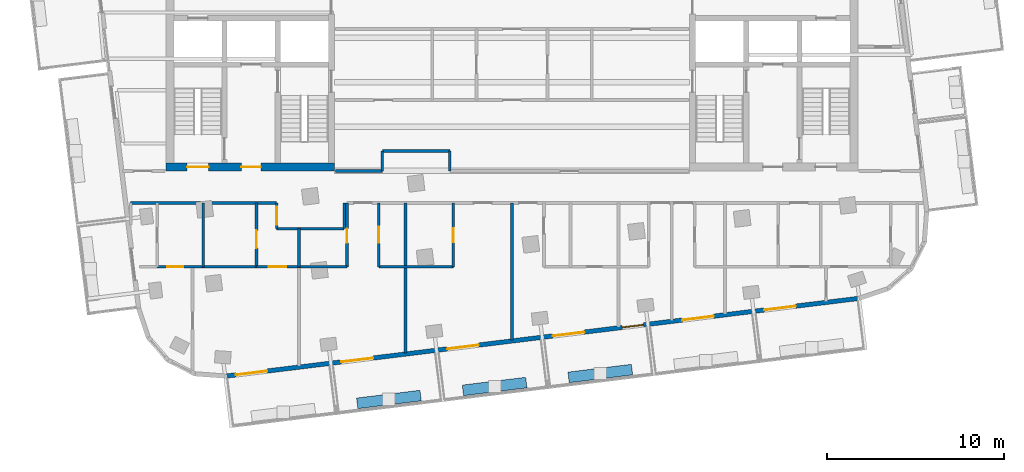
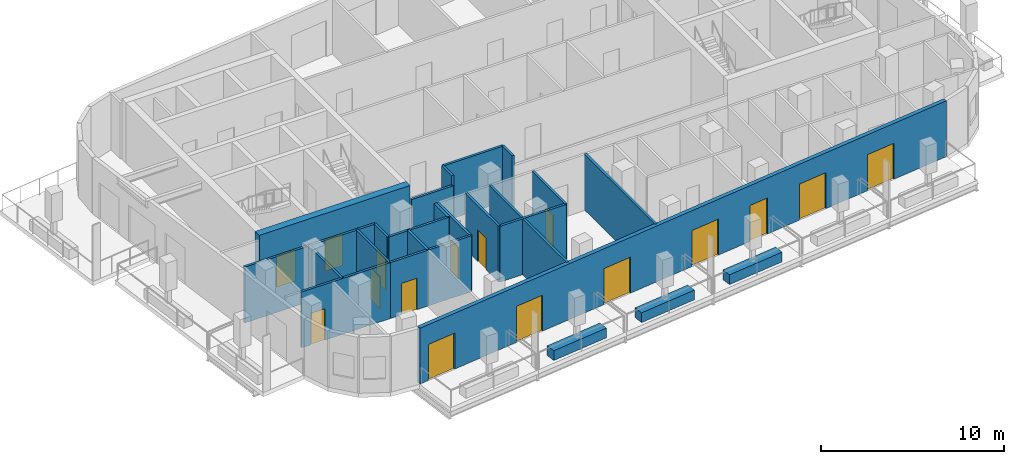
# One storey, part 3 of 11: 25 walls, 15 doors, 1 window, 16 openings.
"""IFC4 building model written with IfcOpenShell, lengths in metres."""

import ifcopenshell
import ifcopenshell.guid

model = None  # the IFC model being written
_history = None  # IfcOwnerHistory: only IFC2X3 demands one
_inside = {}  # id of a spatial element -> (the spatial element, [elements in it])
_under = {}  # id of a project, library or spatial element -> (it, [spatial elements below it])
_declared = {}  # id of a project -> (the project, [libraries it declares])
_typed = {}  # id of a type object -> (the type object, [elements of that type])
_made_of = {}  # id of a material, layer set ... -> (it, [elements and type objects made of it])


def new_model(schema):
    """Start an empty IFC model of exactly this schema.

    Asked for "IFC4X3", IfcOpenShell would pick the latest addendum, in which some entities
    have other attributes; the version numbers below select the first issue.
    IFC2X3 requires an IfcOwnerHistory on every rooted entity: one is made here for all.
    """
    global model, _history
    if schema == "IFC4X3":
        model = ifcopenshell.file(schema_version=(4, 3, 0, 0))
    else:
        model = ifcopenshell.file(schema=schema)
    _inside.clear()
    _under.clear()
    _declared.clear()
    _typed.clear()
    _made_of.clear()
    _history = None
    if model.schema == "IFC2X3":
        org = make("IfcOrganization", Name="unknown")
        user = make(
            "IfcPersonAndOrganization",
            ThePerson=make("IfcPerson", FamilyName="unknown"),
            TheOrganization=org,
        )
        app = make(
            "IfcApplication",
            ApplicationDeveloper=org,
            Version="unknown",
            ApplicationFullName="unknown",
            ApplicationIdentifier="unknown",
        )
        _history = make(
            "IfcOwnerHistory",
            OwningUser=user,
            OwningApplication=app,
            ChangeAction="ADDED",
            CreationDate=0,
        )
    return model


def make(cls, **values):
    """One entity of the class cls with the attributes given. An attribute that is None is left unset."""
    return model.create_entity(
        cls, **{name: value for name, value in values.items() if value is not None}
    )


def rooted(cls, **values):
    """An entity with a GlobalId (a new one), such as an element, a storey or a relation."""
    return make(cls, GlobalId=ifcopenshell.guid.new(), OwnerHistory=_history, **values)


def si_unit(unit_type, name, prefix=None):
    """IfcSIUnit, for example si_unit("LENGTHUNIT", "METRE", prefix="MILLI")."""
    return make("IfcSIUnit", UnitType=unit_type, Prefix=prefix, Name=name)


def assignment(units):
    """IfcUnitAssignment: the units of a project."""
    return None if units is None else make("IfcUnitAssignment", Units=units)


def point(xyz):
    """IfcCartesianPoint."""
    return None if xyz is None else make("IfcCartesianPoint", Coordinates=xyz)


def direction(xyz):
    """IfcDirection."""
    return None if xyz is None else make("IfcDirection", DirectionRatios=xyz)


def frame(location, z_axis=None, x_axis=None):
    """IfcAxis2Placement3D, a coordinate frame: its origin and axes. An axis left out is left unset."""
    return make(
        "IfcAxis2Placement3D",
        Location=point(location),
        Axis=direction(z_axis),
        RefDirection=direction(x_axis),
    )


def frame_2d(location, x_axis=None):
    """IfcAxis2Placement2D, a coordinate frame in the plane: its origin and x axis."""
    return make(
        "IfcAxis2Placement2D", Location=point(location), RefDirection=direction(x_axis)
    )


def origin():
    """The frame at (0, 0, 0) with its axes left unset."""
    return frame((0.0, 0.0, 0.0))


def place(relative_to, where):
    """IfcLocalPlacement: puts the frame where relative to a parent placement (None: the world)."""
    return make(
        "IfcLocalPlacement", PlacementRelTo=relative_to, RelativePlacement=where
    )


def context(
    kind, dimensions, precision=None, world=None, true_north=None, identifier=None
):
    """IfcGeometricRepresentationContext, for example the 3D "Model" context."""
    return make(
        "IfcGeometricRepresentationContext",
        ContextIdentifier=identifier,
        ContextType=kind,
        CoordinateSpaceDimension=dimensions,
        Precision=precision,
        WorldCoordinateSystem=world,
        TrueNorth=true_north,
    )


def subcontext(parent, identifier, kind, view, scale=None):
    """IfcGeometricRepresentationSubContext, for example "Body" below "Model"."""
    return make(
        "IfcGeometricRepresentationSubContext",
        ContextIdentifier=identifier,
        ContextType=kind,
        ParentContext=parent,
        TargetScale=scale,
        TargetView=view,
    )


def project(units=None, contexts=None):
    """IfcProject with its units and contexts."""
    return rooted(
        "IfcProject",
        Name="project",
        RepresentationContexts=contexts,
        UnitsInContext=assignment(units),
    )


def spatial(cls, under=None, at=None, **own):
    """A site, building, storey or space (cls), placed at a placement, below another one or the project."""
    s = rooted(cls, ObjectPlacement=at, **own)
    if under is not None:
        _under.setdefault(under.id(), (under, []))[1].append(s)
    return s


def profile(cls, at=None, kind="AREA", **sizes):
    """A parametric profile (cls). Its sizes go by their IFC names, for example OverallWidth=200.0."""
    return make(cls, ProfileType=kind, Position=at, **sizes)


def rectangle(**sizes):
    """IfcRectangleProfileDef."""
    return profile("IfcRectangleProfileDef", **sizes)


def extrude(swept, where, along, depth):
    """IfcExtrudedAreaSolid: the profile swept, set in the frame where, extruded along a direction by depth."""
    return make(
        "IfcExtrudedAreaSolid",
        SweptArea=swept,
        Position=where,
        ExtrudedDirection=direction(along),
        Depth=depth,
    )


def shape(context_of_items, identifier, shape_type, items):
    """IfcShapeRepresentation: the items that make up one representation, for example the "Body"."""
    return make(
        "IfcShapeRepresentation",
        ContextOfItems=context_of_items,
        RepresentationIdentifier=identifier,
        RepresentationType=shape_type,
        Items=items,
    )


def material(Name=None, Category=None):
    """IfcMaterial."""
    return make("IfcMaterial", Name=Name, Category=Category)


def layer(
    of_material, thickness, ventilated=None, Name=None, Category=None, Priority=None
):
    """IfcMaterialLayer: one layer of a wall or slab, of a material (None: an air gap)."""
    return make(
        "IfcMaterialLayer",
        Material=of_material,
        LayerThickness=thickness,
        IsVentilated=ventilated,
        Name=Name,
        Category=Category,
        Priority=Priority,
    )


def layer_set(layers, Name=None):
    """IfcMaterialLayerSet."""
    return make("IfcMaterialLayerSet", MaterialLayers=layers, LayerSetName=Name)


def made_of(thing, what):
    """Note that an element or type object is made of a material, layer set ...; save() writes the relation."""
    if what is not None:
        _made_of.setdefault(what.id(), (what, []))[1].append(thing)
    return thing


def type_object(cls, material=None, **own):
    """A type object (cls), such as IfcWallType, which elements share."""
    return made_of(rooted(cls, **own), material)


def element(
    cls,
    number,
    at=None,
    inside=None,
    cuts=None,
    type_object=None,
    material=None,
    context=None,
    identifier="Body",
    shape_type=None,
    held_by="IfcProductDefinitionShape",
    body=None,
    shapes=None,
    **own,
):
    """One element of the class cls, such as IfcWall. Its Tag is "e" and its number.

    at: its placement. inside: the storey or other place that contains it. cuts: it is an
    opening in that element (IfcRelVoidsElement). A single representation is given by context,
    identifier, shape_type and body (its items); several are given by shapes. held_by: the class
    of the entity that holds the representations. save() writes the other relations.
    """
    e = rooted(cls, Tag="e%d" % number, ObjectPlacement=at, **own)
    if body is not None:
        shapes = [shape(context, identifier, shape_type, body)]
    if shapes is not None:
        e.Representation = make(held_by, Representations=shapes)
    if inside is not None:
        _inside.setdefault(inside.id(), (inside, []))[1].append(e)
    if cuts is not None:
        rooted(
            "IfcRelVoidsElement", RelatingBuildingElement=cuts, RelatedOpeningElement=e
        )
    if type_object is not None:
        _typed.setdefault(type_object.id(), (type_object, []))[1].append(e)
    return made_of(e, material)


def fill(opening, filler):
    """IfcRelFillsElement: the door or window that sits in an opening."""
    return rooted(
        "IfcRelFillsElement",
        RelatingOpeningElement=opening,
        RelatedBuildingElement=filler,
    )


def aggregate(whole, parts):
    """IfcRelAggregates: a whole, such as a stair, and the parts it consists of."""
    return rooted("IfcRelAggregates", RelatingObject=whole, RelatedObjects=parts)


def save(model, path):
    """Write the relations noted so far, then the file.

    IfcRelAggregates (storeys below a building ...), IfcRelContainedInSpatialStructure (elements
    in a storey), IfcRelDefinesByType, IfcRelAssociatesMaterial and IfcRelDeclares: one each for
    every whole, place, type object, material and project.
    """
    for whole, parts in _under.values():
        aggregate(whole, parts)
    for where, things in _inside.values():
        rooted(
            "IfcRelContainedInSpatialStructure",
            RelatedElements=things,
            RelatingStructure=where,
        )
    for kind, things in _typed.values():
        rooted("IfcRelDefinesByType", RelatedObjects=things, RelatingType=kind)
    for what, things in _made_of.values():
        rooted("IfcRelAssociatesMaterial", RelatedObjects=things, RelatingMaterial=what)
    for by, libraries in _declared.values():
        rooted("IfcRelDeclares", RelatingContext=by, RelatedDefinitions=libraries)
    model.write(path)


model = new_model("IFC4")

# Units and contexts
model_context = context("Model", 3, precision=1e-05, world=origin(), true_north=direction((0.0, 1.0)))
body_context = subcontext(model_context, "Body", "Model", "MODEL_VIEW")
ifc_project = project(units=[si_unit("LENGTHUNIT", "METRE"), si_unit("AREAUNIT", "SQUARE_METRE"), si_unit("VOLUMEUNIT", "CUBIC_METRE"), si_unit("PLANEANGLEUNIT", "RADIAN"), si_unit("MASSUNIT", "GRAM", prefix="KILO")], contexts=[model_context])

# Site, building, storey
site_placement = place(None, origin())
site = spatial("IfcSite", under=ifc_project, at=site_placement, CompositionType="ELEMENT")
building_placement = place(site_placement, origin())
building = spatial("IfcBuilding", under=site, at=building_placement, Name="Torana Hotel and Residences", CompositionType="ELEMENT")
storey_placement = place(building_placement, frame((0.0, 0.0, 330.60009765625)))
storey = spatial("IfcBuildingStorey", under=building, at=storey_placement, Name="L87", CompositionType="ELEMENT", Elevation=330.60009765625)

# Wall, openings, doors
ifc_material_1 = material(Name="Concrete C60/75", Category="concrete")
ifc_layer_1 = layer(ifc_material_1, 0.449951171875)
ifc_layer_set_1 = layer_set([ifc_layer_1], Name="CORE WALL 450 C60/75")
wall_type_1 = type_object("IfcWallType", Name="CORE WALL 450 C60/75", PredefinedType="SHEAR", material=ifc_layer_set_1)
wall_1_placement = place(storey_placement, frame((-19.5, -14.77490234375, 0.0), z_axis=(0.0, 0.0, 1.0), x_axis=(1.0, 0.0, 0.0)))
wall_1 = element("IfcWall", 1, at=wall_1_placement, inside=storey, type_object=wall_type_1, Name="Core wall W front", PredefinedType="SHEAR", context=body_context, shape_type="SweptSolid", body=[
    extrude(rectangle(XDim=9.5, YDim=0.449951171875, at=frame_2d((4.75, 0.0))), origin(), (0.0, 0.0, 1.0), 4.0),
])
opening_1_placement = place(wall_1_placement, frame((1.199951171875, 0.0, 0.0)))
opening_1 = element("IfcOpeningElement", 2, at=opening_1_placement, cuts=wall_1, Name="Opening L87-04", PredefinedType="OPENING", context=body_context, shape_type="SweptSolid", body=[
    extrude(rectangle(XDim=1.199951171875, YDim=2.10009765625, at=frame_2d((0.60009765625, 1.050048828125))), frame((0.0, 0.23486328125, 0.0), z_axis=(0.0, -1.0, 0.0), x_axis=(1.0, 0.0, 0.0)), (0.0, 0.0, 1.0), 0.469970703125),
])
opening_2_placement = place(wall_1_placement, frame((4.25, 0.0, 0.0)))
opening_2 = element("IfcOpeningElement", 3, at=opening_2_placement, cuts=wall_1, Name="Opening L87-05", PredefinedType="OPENING", context=body_context, shape_type="SweptSolid", body=[
    extrude(rectangle(XDim=1.10009765625, YDim=2.10009765625, at=frame_2d((0.550048828125, 1.050048828125))), frame((0.0, 0.23486328125, 0.0), z_axis=(0.0, -1.0, 0.0), x_axis=(1.0, 0.0, 0.0)), (0.0, 0.0, 1.0), 0.469970703125),
])
ifc_material_2 = material(Name="Steel S235", Category="steel")
door_type_1 = type_object("IfcDoorType", Name="FIRE-FIGHTING LOBBY DOOR D8 1100x2100", OperationType="SINGLE_SWING_LEFT", PredefinedType="DOOR", material=ifc_material_2)
door_1_placement = place(opening_2_placement, origin())
door_1 = element("IfcDoor", 4, at=door_1_placement, inside=storey, type_object=door_type_1, Name="FF-lobby door L87", OperationType="SINGLE_SWING_RIGHT", OverallHeight=2.10009765625, OverallWidth=1.10009765625, PredefinedType="DOOR", context=body_context, shape_type="SweptSolid", body=[
    extrude(rectangle(XDim=1.10009765625, YDim=2.10009765625, at=frame_2d((0.550048828125, 1.050048828125))), frame((0.0, 0.02490234375, 0.0), z_axis=(0.0, -1.0, 0.0), x_axis=(1.0, 0.0, 0.0)), (0.0, 0.0, 1.0), 0.050048828125),
])
fill(opening_2, door_1)
ifc_material_3 = material(Name="Steel S235", Category="steel")
door_type_2 = type_object("IfcDoorType", Name="STAIR FIRE DOOR D3 1200x2100", OperationType="SINGLE_SWING_LEFT", PredefinedType="DOOR", material=ifc_material_3)
door_2_placement = place(opening_1_placement, origin())
door_2 = element("IfcDoor", 5, at=door_2_placement, inside=storey, type_object=door_type_2, Name="Stair-B door L87", OperationType="SINGLE_SWING_RIGHT", OverallHeight=2.10009765625, OverallWidth=1.199951171875, PredefinedType="DOOR", context=body_context, shape_type="SweptSolid", body=[
    extrude(rectangle(XDim=1.199951171875, YDim=2.10009765625, at=frame_2d((0.60009765625, 1.050048828125))), frame((0.0, 0.02490234375, 0.0), z_axis=(0.0, -1.0, 0.0), x_axis=(1.0, 0.0, 0.0)), (0.0, 0.0, 1.0), 0.050048828125),
])
fill(opening_1, door_2)

# Wall, openings, doors, window
ifc_material_4 = material(Name="Black aluminium composite panel", Category="aluminium")
ifc_layer_2 = layer(ifc_material_4, 0.00390625, Name="Cladding", Category="cladding")
ifc_material_5 = material(Name="Ventilated air cavity")
ifc_layer_3 = layer(ifc_material_5, 0.0400390625, Name="Ventilated cavity", Category="cavity")
ifc_material_6 = material(Name="Mineral wool insulation")
ifc_layer_4 = layer(ifc_material_6, 0.090087890625, Name="Insulation", Category="insulation")
ifc_material_7 = material(Name="Steel S280GD", Category="steel")
ifc_layer_5 = layer(ifc_material_7, 0.092041015625, Name="Steel stud frame", Category="structure")
ifc_material_8 = material(Name="Fire rated plasterboard")
ifc_layer_6 = layer(ifc_material_8, 0.011962890625, Name="Inner board", Category="finish")
ifc_layer_7 = layer(ifc_material_8, 0.011962890625, Name="Second board", Category="finish")
ifc_layer_set_2 = layer_set([ifc_layer_2, ifc_layer_3, ifc_layer_4, ifc_layer_5, ifc_layer_6, ifc_layer_7], Name="EW1 EXTERNAL WALL BLACK METAL CLAD 250")
wall_type_2 = type_object("IfcWallType", Name="EW1 EXTERNAL WALL BLACK METAL CLAD 250", PredefinedType="SOLIDWALL", material=ifc_layer_set_2)
wall_2_placement = place(storey_placement, frame((-16.13818359375, -26.561279296875, 0.0), z_axis=(0.0, 0.0, 1.0), x_axis=(0.992546726876, 0.121864658405, 0.0)))
wall_2 = element("IfcWall", 6, at=wall_2_placement, inside=storey, type_object=wall_type_2, Name="External wall L87 e0.14", PredefinedType="SOLIDWALL", context=body_context, shape_type="SweptSolid", body=[
    extrude(rectangle(XDim=35.95068359375, YDim=0.25, at=frame_2d((17.975341796875, 0.0))), origin(), (0.0, 0.0, 1.0), 3.719970703125),
])
opening_3_placement = place(wall_2_placement, frame((0.574951171875, 0.0, 0.0)))
opening_3 = element("IfcOpeningElement", 7, at=opening_3_placement, cuts=wall_2, Name="Opening L87-E01", PredefinedType="OPENING", context=body_context, shape_type="SweptSolid", body=[
    extrude(rectangle(XDim=1.800048828125, YDim=2.39990234375, at=frame_2d((0.89990234375, 1.199951171875))), frame((0.0, 0.135009765625, 0.0), z_axis=(0.0, -1.0, 0.0), x_axis=(1.0, 0.0, 0.0)), (0.0, 0.0, 1.0), 0.27001953125),
])
opening_4_placement = place(wall_2_placement, frame((6.57568359375, 0.0, 0.0)))
opening_4 = element("IfcOpeningElement", 8, at=opening_4_placement, cuts=wall_2, Name="Opening L87-E02", PredefinedType="OPENING", context=body_context, shape_type="SweptSolid", body=[
    extrude(rectangle(XDim=1.800048828125, YDim=2.39990234375, at=frame_2d((0.89990234375, 1.199951171875))), frame((0.0, 0.135009765625, 0.0), z_axis=(0.0, -1.0, 0.0), x_axis=(1.0, 0.0, 0.0)), (0.0, 0.0, 1.0), 0.27001953125),
])
opening_5_placement = place(wall_2_placement, frame((12.575439453125, 0.0, 0.0)))
opening_5 = element("IfcOpeningElement", 9, at=opening_5_placement, cuts=wall_2, Name="Opening L87-E03", PredefinedType="OPENING", context=body_context, shape_type="SweptSolid", body=[
    extrude(rectangle(XDim=1.800048828125, YDim=2.39990234375, at=frame_2d((0.89990234375, 1.199951171875))), frame((0.0, 0.135009765625, 0.0), z_axis=(0.0, -1.0, 0.0), x_axis=(1.0, 0.0, 0.0)), (0.0, 0.0, 1.0), 0.27001953125),
])
opening_6_placement = place(wall_2_placement, frame((18.5751953125, 0.0, 0.0)))
opening_6 = element("IfcOpeningElement", 10, at=opening_6_placement, cuts=wall_2, Name="Opening L87-E04", PredefinedType="OPENING", context=body_context, shape_type="SweptSolid", body=[
    extrude(rectangle(XDim=1.800048828125, YDim=2.39990234375, at=frame_2d((0.89990234375, 1.199951171875))), frame((0.0, 0.135009765625, 0.0), z_axis=(0.0, -1.0, 0.0), x_axis=(1.0, 0.0, 0.0)), (0.0, 0.0, 1.0), 0.27001953125),
])
opening_7_placement = place(wall_2_placement, frame((22.527587890625, 0.0, 0.0)))
opening_7 = element("IfcOpeningElement", 11, at=opening_7_placement, cuts=wall_2, Name="Opening W9", PredefinedType="OPENING", context=body_context, shape_type="SweptSolid", body=[
    extrude(rectangle(XDim=1.199951171875, YDim=2.39990234375, at=frame_2d((0.60009765625, 1.199951171875))), frame((0.0, 0.135009765625, 0.0), z_axis=(0.0, -1.0, 0.0), x_axis=(1.0, 0.0, 0.0)), (0.0, 0.0, 1.0), 0.27001953125),
])
opening_8_placement = place(wall_2_placement, frame((25.923095703125, 0.0, 0.0)))
opening_8 = element("IfcOpeningElement", 12, at=opening_8_placement, cuts=wall_2, Name="Opening L87-E05", PredefinedType="OPENING", context=body_context, shape_type="SweptSolid", body=[
    extrude(rectangle(XDim=1.800048828125, YDim=2.39990234375, at=frame_2d((0.89990234375, 1.199951171875))), frame((0.0, 0.135009765625, 0.0), z_axis=(0.0, -1.0, 0.0), x_axis=(1.0, 0.0, 0.0)), (0.0, 0.0, 1.0), 0.27001953125),
])
opening_9_placement = place(wall_2_placement, frame((30.57568359375, 0.0, 0.0)))
opening_9 = element("IfcOpeningElement", 13, at=opening_9_placement, cuts=wall_2, Name="Opening L87-E06", PredefinedType="OPENING", context=body_context, shape_type="SweptSolid", body=[
    extrude(rectangle(XDim=1.800048828125, YDim=2.39990234375, at=frame_2d((0.89990234375, 1.199951171875))), frame((0.0, 0.135009765625, 0.0), z_axis=(0.0, -1.0, 0.0), x_axis=(1.0, 0.0, 0.0)), (0.0, 0.0, 1.0), 0.27001953125),
])
ifc_material_9 = material(Name="Dark glass in black aluminium frame", Category="aluminium")
door_type_3 = type_object("IfcDoorType", Name="DB1 BALCONY DOOR 1800x2400", OperationType="DOUBLE_DOOR_SINGLE_SWING", PredefinedType="DOOR", material=ifc_material_9)
door_3_placement = place(opening_3_placement, origin())
door_3 = element("IfcDoor", 14, at=door_3_placement, inside=storey, type_object=door_type_3, Name="Balcony door L87", OperationType="DOUBLE_DOOR_SINGLE_SWING", OverallHeight=2.39990234375, OverallWidth=1.800048828125, PredefinedType="DOOR", context=body_context, shape_type="SweptSolid", body=[
    extrude(rectangle(XDim=1.800048828125, YDim=2.39990234375, at=frame_2d((0.89990234375, 1.199951171875))), frame((0.0, 0.02490234375, 0.0), z_axis=(0.0, -1.0, 0.0), x_axis=(1.0, 0.0, 0.0)), (0.0, 0.0, 1.0), 0.050048828125),
])
fill(opening_3, door_3)
door_4_placement = place(opening_4_placement, origin())
door_4 = element("IfcDoor", 15, at=door_4_placement, inside=storey, type_object=door_type_3, Name="Balcony door L87", OperationType="DOUBLE_DOOR_SINGLE_SWING", OverallHeight=2.39990234375, OverallWidth=1.800048828125, PredefinedType="DOOR", context=body_context, shape_type="SweptSolid", body=[
    extrude(rectangle(XDim=1.800048828125, YDim=2.39990234375, at=frame_2d((0.89990234375, 1.199951171875))), frame((0.0, 0.02490234375, 0.0), z_axis=(0.0, -1.0, 0.0), x_axis=(1.0, 0.0, 0.0)), (0.0, 0.0, 1.0), 0.050048828125),
])
fill(opening_4, door_4)
door_5_placement = place(opening_5_placement, origin())
door_5 = element("IfcDoor", 16, at=door_5_placement, inside=storey, type_object=door_type_3, Name="Balcony door L87", OperationType="DOUBLE_DOOR_SINGLE_SWING", OverallHeight=2.39990234375, OverallWidth=1.800048828125, PredefinedType="DOOR", context=body_context, shape_type="SweptSolid", body=[
    extrude(rectangle(XDim=1.800048828125, YDim=2.39990234375, at=frame_2d((0.89990234375, 1.199951171875))), frame((0.0, 0.02490234375, 0.0), z_axis=(0.0, -1.0, 0.0), x_axis=(1.0, 0.0, 0.0)), (0.0, 0.0, 1.0), 0.050048828125),
])
fill(opening_5, door_5)
door_6_placement = place(opening_6_placement, origin())
door_6 = element("IfcDoor", 17, at=door_6_placement, inside=storey, type_object=door_type_3, Name="Balcony door L87", OperationType="DOUBLE_DOOR_SINGLE_SWING", OverallHeight=2.39990234375, OverallWidth=1.800048828125, PredefinedType="DOOR", context=body_context, shape_type="SweptSolid", body=[
    extrude(rectangle(XDim=1.800048828125, YDim=2.39990234375, at=frame_2d((0.89990234375, 1.199951171875))), frame((0.0, 0.02490234375, 0.0), z_axis=(0.0, -1.0, 0.0), x_axis=(1.0, 0.0, 0.0)), (0.0, 0.0, 1.0), 0.050048828125),
])
fill(opening_6, door_6)
door_7_placement = place(opening_8_placement, origin())
door_7 = element("IfcDoor", 18, at=door_7_placement, inside=storey, type_object=door_type_3, Name="Balcony door L87", OperationType="DOUBLE_DOOR_SINGLE_SWING", OverallHeight=2.39990234375, OverallWidth=1.800048828125, PredefinedType="DOOR", context=body_context, shape_type="SweptSolid", body=[
    extrude(rectangle(XDim=1.800048828125, YDim=2.39990234375, at=frame_2d((0.89990234375, 1.199951171875))), frame((0.0, 0.02490234375, 0.0), z_axis=(0.0, -1.0, 0.0), x_axis=(1.0, 0.0, 0.0)), (0.0, 0.0, 1.0), 0.050048828125),
])
fill(opening_8, door_7)
door_8_placement = place(opening_9_placement, origin())
door_8 = element("IfcDoor", 19, at=door_8_placement, inside=storey, type_object=door_type_3, Name="Balcony door L87", OperationType="DOUBLE_DOOR_SINGLE_SWING", OverallHeight=2.39990234375, OverallWidth=1.800048828125, PredefinedType="DOOR", context=body_context, shape_type="SweptSolid", body=[
    extrude(rectangle(XDim=1.800048828125, YDim=2.39990234375, at=frame_2d((0.89990234375, 1.199951171875))), frame((0.0, 0.02490234375, 0.0), z_axis=(0.0, -1.0, 0.0), x_axis=(1.0, 0.0, 0.0)), (0.0, 0.0, 1.0), 0.050048828125),
])
fill(opening_9, door_8)
ifc_material_10 = material(Name="Dark glass in black aluminium frame", Category="aluminium")
window_type = type_object("IfcWindowType", Name="W9 CLUB GLAZED SLOT 1200x2400", PartitioningType="SINGLE_PANEL", PredefinedType="WINDOW", material=ifc_material_10)
window_placement = place(opening_7_placement, origin())
window = element("IfcWindow", 20, at=window_placement, inside=storey, type_object=window_type, Name="Window L87", OverallHeight=2.39990234375, OverallWidth=1.199951171875, PartitioningType="SINGLE_PANEL", PredefinedType="WINDOW", context=body_context, shape_type="SweptSolid", body=[
    extrude(rectangle(XDim=1.199951171875, YDim=2.39990234375, at=frame_2d((0.60009765625, 1.199951171875))), frame((0.0, 0.030029296875, 0.0), z_axis=(0.0, -1.0, 0.0), x_axis=(1.0, 0.0, 0.0)), (0.0, 0.0, 1.0), 0.06005859375),
])
fill(opening_7, window)

# Walls
ifc_material_11 = material(Name="Gypsum plaster")
ifc_layer_8 = layer(ifc_material_11, 0.014892578125, Name="Plaster", Category="finish")
ifc_material_12 = material(Name="Concrete blockwork", Category="masonry")
ifc_layer_9 = layer(ifc_material_12, 0.1201171875, Name="Blockwork", Category="structure")
ifc_layer_10 = layer(ifc_material_11, 0.014892578125, Name="Plaster", Category="finish")
ifc_layer_set_3 = layer_set([ifc_layer_8, ifc_layer_9, ifc_layer_10], Name="FIRE PARTITION 150 BLOCKWORK")
wall_type_3 = type_object("IfcWallType", Name="FIRE PARTITION 150 BLOCKWORK", PredefinedType="PARTITIONING", material=ifc_layer_set_3)
for number, where, z_axis, x_axis, name in (
    (21, (-3.506103515625, -15.0, 0.0), (0.0, 0.0, 1.0), (0.0, 1.0, 0.0), "Partition L87"),
    (22, (-7.30810546875, -15.0, 0.0), (0.0, 0.0, 1.0), (0.0, 1.0, 0.0), "Partition L87"),
):
    element("IfcWall", number, at=place(storey_placement, frame(where, z_axis=z_axis, x_axis=x_axis)), inside=storey, type_object=wall_type_3, Name=name, PredefinedType="PARTITIONING", context=body_context, shape_type="SweptSolid", body=[
        extrude(rectangle(XDim=1.1279296875, YDim=0.14990234375, at=frame_2d((0.56396484375, 0.0))), origin(), (0.0, 0.0, 1.0), 3.719970703125),
    ])
wall_3_placement = place(storey_placement, frame((-9.4609375, -18.2548828125, 0.0), z_axis=(0.0, 0.0, 1.0), x_axis=(0.0, 1.0, 0.0)))
element("IfcWall", 23, at=wall_3_placement, inside=storey, type_object=wall_type_3, Name="Partition L87", PredefinedType="PARTITIONING", context=body_context, shape_type="SweptSolid", body=[
    extrude(rectangle(XDim=1.454833984375, YDim=0.14990234375, at=frame_2d((0.7275390625, 0.0))), origin(), (0.0, 0.0, 1.0), 3.719970703125),
])
wall_4_placement = place(storey_placement, frame((-12.0, -20.39990234375, 0.0), z_axis=(0.0, 0.0, 1.0), x_axis=(0.0, 1.0, 0.0)))
element("IfcWall", 24, at=wall_4_placement, inside=storey, type_object=wall_type_3, Name="Partition L87", PredefinedType="PARTITIONING", context=body_context, shape_type="SweptSolid", body=[
    extrude(rectangle(XDim=2.14501953125, YDim=0.14990234375, at=frame_2d((1.072509765625, 0.0))), origin(), (0.0, 0.0, 1.0), 3.719970703125),
])

# Wall, opening, door
wall_5_placement = place(storey_placement, frame((-13.262939453125, -18.2548828125, 0.0), z_axis=(0.0, 0.0, 1.0), x_axis=(0.0, 1.0, 0.0)))
wall_5 = element("IfcWall", 25, at=wall_5_placement, inside=storey, type_object=wall_type_3, Name="Partition L87", PredefinedType="PARTITIONING", context=body_context, shape_type="SweptSolid", body=[
    extrude(rectangle(XDim=1.454833984375, YDim=0.14990234375, at=frame_2d((0.7275390625, 0.0))), origin(), (0.0, 0.0, 1.0), 3.719970703125),
])
opening_10_placement = place(wall_5_placement, frame((0.22802734375, 0.0, 0.0)))
opening_10 = element("IfcOpeningElement", 26, at=opening_10_placement, cuts=wall_5, Name="Opening L87-25", PredefinedType="OPENING", context=body_context, shape_type="SweptSolid", body=[
    extrude(rectangle(XDim=1.0, YDim=2.10009765625, at=frame_2d((0.5, 1.050048828125))), frame((0.0, 0.0849609375, 0.0), z_axis=(0.0, -1.0, 0.0), x_axis=(1.0, 0.0, 0.0)), (0.0, 0.0, 1.0), 0.169921875),
])
ifc_material_13 = material(Name="Steel S235", Category="steel")
door_type_4 = type_object("IfcDoorType", Name="ENTRY FIRE DOOR D6 1000x2100", OperationType="SINGLE_SWING_LEFT", PredefinedType="DOOR", material=ifc_material_13)
door_9_placement = place(opening_10_placement, frame((0.5, 0.0, 0.0), z_axis=(0.0, 0.0, 1.0), x_axis=(-1.0, 0.0, 0.0)))
door_9 = element("IfcDoor", 27, at=door_9_placement, inside=storey, type_object=door_type_4, Name="Door L87", OperationType="SINGLE_SWING_LEFT", OverallHeight=2.10009765625, OverallWidth=1.0, PredefinedType="DOOR", context=body_context, shape_type="SweptSolid", body=[
    extrude(rectangle(XDim=1.0, YDim=2.10009765625, at=frame_2d((0.0, 1.050048828125))), frame((0.0, -0.02490234375, 0.0), z_axis=(0.0, 1.0, 0.0), x_axis=(-1.0, 0.0, 0.0)), (0.0, 0.0, 1.0), 0.050048828125),
])
fill(opening_10, door_9)

wall_6_placement = place(storey_placement, frame((-14.39990234375, -20.39990234375, 0.0), z_axis=(0.0, 0.0, 1.0), x_axis=(0.0, 1.0, 0.0)))
wall_6 = element("IfcWall", 28, at=wall_6_placement, inside=storey, type_object=wall_type_3, Name="Partition L87", PredefinedType="PARTITIONING", context=body_context, shape_type="SweptSolid", body=[
    extrude(rectangle(XDim=3.599853515625, YDim=0.14990234375, at=frame_2d((1.7998046875, 0.0))), origin(), (0.0, 0.0, 1.0), 3.719970703125),
])
opening_11_placement = place(wall_6_placement, frame((1.050048828125, 0.0, 0.0)))
opening_11 = element("IfcOpeningElement", 29, at=opening_11_placement, cuts=wall_6, Name="Opening L87-47", PredefinedType="OPENING", context=body_context, shape_type="SweptSolid", body=[
    extrude(rectangle(XDim=1.0, YDim=2.10009765625, at=frame_2d((0.5, 1.050048828125))), frame((0.0, 0.0849609375, 0.0), z_axis=(0.0, -1.0, 0.0), x_axis=(1.0, 0.0, 0.0)), (0.0, 0.0, 1.0), 0.169921875),
])
door_10_placement = place(opening_11_placement, origin())
door_10 = element("IfcDoor", 30, at=door_10_placement, inside=storey, type_object=door_type_4, Name="Door L87", OperationType="SINGLE_SWING_RIGHT", OverallHeight=2.10009765625, OverallWidth=1.0, PredefinedType="DOOR", context=body_context, shape_type="SweptSolid", body=[
    extrude(rectangle(XDim=1.0, YDim=2.10009765625, at=frame_2d((0.5, 1.050048828125))), frame((0.0, 0.02490234375, 0.0), z_axis=(0.0, -1.0, 0.0), x_axis=(1.0, 0.0, 0.0)), (0.0, 0.0, 1.0), 0.050048828125),
])
fill(opening_11, door_10)

wall_7_placement = place(storey_placement, frame((-14.39990234375, -20.39990234375, 0.0), z_axis=(0.0, 0.0, 1.0), x_axis=(1.0, 0.0, 0.0)))
wall_7 = element("IfcWall", 31, at=wall_7_placement, inside=storey, type_object=wall_type_3, Name="Partition L87", PredefinedType="PARTITIONING", context=body_context, shape_type="SweptSolid", body=[
    extrude(rectangle(XDim=2.39990234375, YDim=0.14990234375, at=frame_2d((1.199951171875, 0.0))), origin(), (0.0, 0.0, 1.0), 3.719970703125),
])
opening_12_placement = place(wall_7_placement, frame((0.679931640625, 0.0, 0.0)))
opening_12 = element("IfcOpeningElement", 32, at=opening_12_placement, cuts=wall_7, Name="Opening L87-48", PredefinedType="OPENING", context=body_context, shape_type="SweptSolid", body=[
    extrude(rectangle(XDim=1.0, YDim=2.10009765625, at=frame_2d((0.5, 1.050048828125))), frame((0.0, 0.0849609375, 0.0), z_axis=(0.0, -1.0, 0.0), x_axis=(1.0, 0.0, 0.0)), (0.0, 0.0, 1.0), 0.169921875),
])
door_11_placement = place(opening_12_placement, frame((0.5, 0.0, 0.0), z_axis=(0.0, 0.0, 1.0), x_axis=(-1.0, 0.0, 0.0)))
door_11 = element("IfcDoor", 33, at=door_11_placement, inside=storey, type_object=door_type_4, Name="Door L87", OperationType="SINGLE_SWING_RIGHT", OverallHeight=2.10009765625, OverallWidth=1.0, PredefinedType="DOOR", context=body_context, shape_type="SweptSolid", body=[
    extrude(rectangle(XDim=1.0, YDim=2.10009765625, at=frame_2d((0.0, 1.050048828125))), frame((0.0, -0.02490234375, 0.0), z_axis=(0.0, 1.0, 0.0), x_axis=(-1.0, 0.0, 0.0)), (0.0, 0.0, 1.0), 0.050048828125),
])
fill(opening_12, door_11)

# Walls
wall_8_placement = place(storey_placement, frame((-13.262939453125, -18.2548828125, 0.0), z_axis=(0.0, 0.0, 1.0), x_axis=(1.0, 0.0, 0.0)))
element("IfcWall", 34, at=wall_8_placement, inside=storey, type_object=wall_type_3, Name="Partition L87", PredefinedType="PARTITIONING", context=body_context, shape_type="SweptSolid", body=[
    extrude(rectangle(XDim=3.802001953125, YDim=0.14990234375, at=frame_2d((1.90087890625, 0.0))), origin(), (0.0, 0.0, 1.0), 3.719970703125),
])
wall_9_placement = place(storey_placement, frame((-21.489990234375, -16.800048828125, 0.0), z_axis=(0.0, 0.0, 1.0), x_axis=(1.0, 0.0, 0.0)))
element("IfcWall", 35, at=wall_9_placement, inside=storey, type_object=wall_type_3, Name="Partition L87", PredefinedType="PARTITIONING", context=body_context, shape_type="SweptSolid", body=[
    extrude(rectangle(XDim=8.22705078125, YDim=0.14990234375, at=frame_2d((4.113525390625, 0.0))), origin(), (0.0, 0.0, 1.0), 3.719970703125),
])
wall_10_placement = place(storey_placement, frame((-9.949951171875, -15.0, 0.0), z_axis=(0.0, 0.0, 1.0), x_axis=(1.0, 0.0, 0.0)))
element("IfcWall", 36, at=wall_10_placement, inside=storey, type_object=wall_type_3, Name="Partition L87", PredefinedType="PARTITIONING", context=body_context, shape_type="SweptSolid", body=[
    extrude(rectangle(XDim=2.641845703125, YDim=0.14990234375, at=frame_2d((1.32080078125, 0.0))), origin(), (0.0, 0.0, 1.0), 3.083984375),
])
wall_11_placement = place(storey_placement, frame((-7.30810546875, -13.8720703125, 0.0), z_axis=(0.0, 0.0, 1.0), x_axis=(1.0, 0.0, 0.0)))
element("IfcWall", 37, at=wall_11_placement, inside=storey, type_object=wall_type_3, Name="Partition L87", PredefinedType="PARTITIONING", context=body_context, shape_type="SweptSolid", body=[
    extrude(rectangle(XDim=3.802001953125, YDim=0.14990234375, at=frame_2d((1.90087890625, 0.0))), origin(), (0.0, 0.0, 1.0), 3.719970703125),
])
ifc_material_14 = material(Name="Gypsum plasterboard")
ifc_layer_11 = layer(ifc_material_14, 0.012451171875, Name="Plasterboard", Category="finish")
ifc_layer_12 = layer(ifc_material_14, 0.012451171875, Name="Plasterboard", Category="finish")
ifc_layer_13 = layer(ifc_material_7, 0.10009765625, Name="Steel studs with mineral wool", Category="insulation")
ifc_layer_14 = layer(ifc_material_14, 0.012451171875, Name="Plasterboard", Category="finish")
ifc_layer_15 = layer(ifc_material_14, 0.012451171875, Name="Plasterboard", Category="finish")
ifc_layer_set_4 = layer_set([ifc_layer_11, ifc_layer_12, ifc_layer_13, ifc_layer_14, ifc_layer_15], Name="PARTITION 150 PLASTERBOARD")
wall_type_4 = type_object("IfcWallType", Name="PARTITION 150 PLASTERBOARD", PredefinedType="PARTITIONING", material=ifc_layer_set_4)
wall_12_placement = place(storey_placement, frame((0.0, -24.5244140625, 0.0), z_axis=(0.0, 0.0, 1.0), x_axis=(0.0, 1.0, 0.0)))
element("IfcWall", 38, at=wall_12_placement, inside=storey, type_object=wall_type_4, Name="Partition L87", PredefinedType="PARTITIONING", context=body_context, shape_type="SweptSolid", body=[
    extrude(rectangle(XDim=7.724365234375, YDim=0.14990234375, at=frame_2d((3.8623046875, 0.0))), origin(), (0.0, 0.0, 1.0), 3.719970703125),
])

# Wall, opening, door
wall_13_placement = place(storey_placement, frame((-3.300048828125, -20.39990234375, 0.0), z_axis=(0.0, 0.0, 1.0), x_axis=(0.0, 1.0, 0.0)))
wall_13 = element("IfcWall", 39, at=wall_13_placement, inside=storey, type_object=wall_type_4, Name="Partition L87", PredefinedType="PARTITIONING", context=body_context, shape_type="SweptSolid", body=[
    extrude(rectangle(XDim=3.599853515625, YDim=0.14990234375, at=frame_2d((1.7998046875, 0.0))), origin(), (0.0, 0.0, 1.0), 3.719970703125),
])
opening_13_placement = place(wall_13_placement, frame((1.3798828125, 0.0, 0.0)))
opening_13 = element("IfcOpeningElement", 40, at=opening_13_placement, cuts=wall_13, Name="Opening L87-42", PredefinedType="OPENING", context=body_context, shape_type="SweptSolid", body=[
    extrude(rectangle(XDim=0.800048828125, YDim=2.10009765625, at=frame_2d((0.39990234375, 1.050048828125))), frame((0.0, 0.0849609375, 0.0), z_axis=(0.0, -1.0, 0.0), x_axis=(1.0, 0.0, 0.0)), (0.0, 0.0, 1.0), 0.169921875),
])
ifc_material_15 = material(Name="Timber door, painted", Category="wood")
door_type_5 = type_object("IfcDoorType", Name="BATH DOOR D13 800x2100", OperationType="SINGLE_SWING_LEFT", PredefinedType="DOOR", material=ifc_material_15)
door_12_placement = place(opening_13_placement, origin())
door_12 = element("IfcDoor", 41, at=door_12_placement, inside=storey, type_object=door_type_5, Name="Door L87", OperationType="SINGLE_SWING_RIGHT", OverallHeight=2.10009765625, OverallWidth=0.800048828125, PredefinedType="DOOR", context=body_context, shape_type="SweptSolid", body=[
    extrude(rectangle(XDim=0.800048828125, YDim=2.10009765625, at=frame_2d((0.39990234375, 1.050048828125))), frame((0.0, 0.02490234375, 0.0), z_axis=(0.0, -1.0, 0.0), x_axis=(1.0, 0.0, 0.0)), (0.0, 0.0, 1.0), 0.050048828125),
])
fill(opening_13, door_12)

# Wall
wall_14_placement = place(storey_placement, frame((-6.0, -25.26123046875, 0.0), z_axis=(0.0, 0.0, 1.0), x_axis=(0.0, 1.0, 0.0)))
element("IfcWall", 42, at=wall_14_placement, inside=storey, type_object=wall_type_4, Name="Partition L87", PredefinedType="PARTITIONING", context=body_context, shape_type="SweptSolid", body=[
    extrude(rectangle(XDim=8.461181640625, YDim=0.14990234375, at=frame_2d((4.23046875, 0.0))), origin(), (0.0, 0.0, 1.0), 3.719970703125),
])

# Wall, opening, door
wall_15_placement = place(storey_placement, frame((-7.5, -20.39990234375, 0.0), z_axis=(0.0, 0.0, 1.0), x_axis=(0.0, 1.0, 0.0)))
wall_15 = element("IfcWall", 43, at=wall_15_placement, inside=storey, type_object=wall_type_4, Name="Partition L87", PredefinedType="PARTITIONING", context=body_context, shape_type="SweptSolid", body=[
    extrude(rectangle(XDim=3.599853515625, YDim=0.14990234375, at=frame_2d((1.7998046875, 0.0))), origin(), (0.0, 0.0, 1.0), 3.719970703125),
])
opening_14_placement = place(wall_15_placement, frame((1.35009765625, 0.0, 0.0)))
opening_14 = element("IfcOpeningElement", 44, at=opening_14_placement, cuts=wall_15, Name="Opening L87-41", PredefinedType="OPENING", context=body_context, shape_type="SweptSolid", body=[
    extrude(rectangle(XDim=0.89990234375, YDim=2.10009765625, at=frame_2d((0.449951171875, 1.050048828125))), frame((0.0, 0.0849609375, 0.0), z_axis=(0.0, -1.0, 0.0), x_axis=(1.0, 0.0, 0.0)), (0.0, 0.0, 1.0), 0.169921875),
])
ifc_material_16 = material(Name="Timber door, oiled ash", Category="wood")
door_type_6 = type_object("IfcDoorType", Name="ROOM DOOR D7 900x2100", OperationType="SINGLE_SWING_LEFT", PredefinedType="DOOR", material=ifc_material_16)
door_13_placement = place(opening_14_placement, origin())
door_13 = element("IfcDoor", 45, at=door_13_placement, inside=storey, type_object=door_type_6, Name="Door L87", OperationType="SINGLE_SWING_LEFT", OverallHeight=2.10009765625, OverallWidth=0.89990234375, PredefinedType="DOOR", context=body_context, shape_type="SweptSolid", body=[
    extrude(rectangle(XDim=0.89990234375, YDim=2.10009765625, at=frame_2d((0.449951171875, 1.050048828125))), frame((0.0, 0.02490234375, 0.0), z_axis=(0.0, -1.0, 0.0), x_axis=(1.0, 0.0, 0.0)), (0.0, 0.0, 1.0), 0.050048828125),
])
fill(opening_14, door_13)

wall_16_placement = place(storey_placement, frame((-9.300048828125, -20.39990234375, 0.0), z_axis=(0.0, 0.0, 1.0), x_axis=(0.0, 1.0, 0.0)))
wall_16 = element("IfcWall", 46, at=wall_16_placement, inside=storey, type_object=wall_type_4, Name="Partition L87", PredefinedType="PARTITIONING", context=body_context, shape_type="SweptSolid", body=[
    extrude(rectangle(XDim=3.599853515625, YDim=0.14990234375, at=frame_2d((1.7998046875, 0.0))), origin(), (0.0, 0.0, 1.0), 3.719970703125),
])
opening_15_placement = place(wall_16_placement, frame((1.35009765625, 0.0, 0.0)))
opening_15 = element("IfcOpeningElement", 47, at=opening_15_placement, cuts=wall_16, Name="Opening L87-40", PredefinedType="OPENING", context=body_context, shape_type="SweptSolid", body=[
    extrude(rectangle(XDim=0.800048828125, YDim=2.10009765625, at=frame_2d((0.39990234375, 1.050048828125))), frame((0.0, 0.0849609375, 0.0), z_axis=(0.0, -1.0, 0.0), x_axis=(1.0, 0.0, 0.0)), (0.0, 0.0, 1.0), 0.169921875),
])
door_14_placement = place(opening_15_placement, frame((0.39990234375, 0.0, 0.0), z_axis=(0.0, 0.0, 1.0), x_axis=(-1.0, 0.0, 0.0)))
door_14 = element("IfcDoor", 48, at=door_14_placement, inside=storey, type_object=door_type_5, Name="Door L87", OperationType="SINGLE_SWING_RIGHT", OverallHeight=2.10009765625, OverallWidth=0.800048828125, PredefinedType="DOOR", context=body_context, shape_type="SweptSolid", body=[
    extrude(rectangle(XDim=0.800048828125, YDim=2.10009765625, at=frame_2d((0.0, 1.050048828125))), frame((0.0, -0.02490234375, 0.0), z_axis=(0.0, 1.0, 0.0), x_axis=(-1.0, 0.0, 0.0)), (0.0, 0.0, 1.0), 0.050048828125),
])
fill(opening_15, door_14)

# Wall
wall_17_placement = place(storey_placement, frame((-17.39990234375, -20.39990234375, 0.0), z_axis=(0.0, 0.0, 1.0), x_axis=(0.0, 1.0, 0.0)))
element("IfcWall", 49, at=wall_17_placement, inside=storey, type_object=wall_type_4, Name="Partition L87", PredefinedType="PARTITIONING", context=body_context, shape_type="SweptSolid", body=[
    extrude(rectangle(XDim=3.599853515625, YDim=0.14990234375, at=frame_2d((1.7998046875, 0.0))), origin(), (0.0, 0.0, 1.0), 3.719970703125),
])

# Wall, opening, door
wall_18_placement = place(storey_placement, frame((-19.989990234375, -20.39990234375, 0.0), z_axis=(0.0, 0.0, 1.0), x_axis=(1.0, 0.0, 0.0)))
wall_18 = element("IfcWall", 50, at=wall_18_placement, inside=storey, type_object=wall_type_4, Name="Partition L87", PredefinedType="PARTITIONING", context=body_context, shape_type="SweptSolid", body=[
    extrude(rectangle(XDim=5.590087890625, YDim=0.14990234375, at=frame_2d((2.794921875, 0.0))), origin(), (0.0, 0.0, 1.0), 3.719970703125),
])
opening_16_placement = place(wall_18_placement, frame((0.570068359375, 0.0, 0.0)))
opening_16 = element("IfcOpeningElement", 51, at=opening_16_placement, cuts=wall_18, Name="Opening L87-49", PredefinedType="OPENING", context=body_context, shape_type="SweptSolid", body=[
    extrude(rectangle(XDim=0.89990234375, YDim=2.10009765625, at=frame_2d((0.449951171875, 1.050048828125))), frame((0.0, 0.0849609375, 0.0), z_axis=(0.0, -1.0, 0.0), x_axis=(1.0, 0.0, 0.0)), (0.0, 0.0, 1.0), 0.169921875),
])
door_15_placement = place(opening_16_placement, origin())
door_15 = element("IfcDoor", 52, at=door_15_placement, inside=storey, type_object=door_type_6, Name="Door L87", OperationType="SINGLE_SWING_RIGHT", OverallHeight=2.10009765625, OverallWidth=0.89990234375, PredefinedType="DOOR", context=body_context, shape_type="SweptSolid", body=[
    extrude(rectangle(XDim=0.89990234375, YDim=2.10009765625, at=frame_2d((0.449951171875, 1.050048828125))), frame((0.0, 0.02490234375, 0.0), z_axis=(0.0, -1.0, 0.0), x_axis=(1.0, 0.0, 0.0)), (0.0, 0.0, 1.0), 0.050048828125),
])
fill(opening_16, door_15)

# Walls
wall_19_placement = place(storey_placement, frame((-12.0, -20.39990234375, 0.0), z_axis=(0.0, 0.0, 1.0), x_axis=(1.0, 0.0, 0.0)))
element("IfcWall", 53, at=wall_19_placement, inside=storey, type_object=wall_type_4, Name="Partition L87", PredefinedType="PARTITIONING", context=body_context, shape_type="SweptSolid", body=[
    extrude(rectangle(XDim=2.699951171875, YDim=0.14990234375, at=frame_2d((1.35009765625, 0.0))), origin(), (0.0, 0.0, 1.0), 3.719970703125),
])
wall_20_placement = place(storey_placement, frame((-7.5, -20.39990234375, 0.0), z_axis=(0.0, 0.0, 1.0), x_axis=(1.0, 0.0, 0.0)))
element("IfcWall", 54, at=wall_20_placement, inside=storey, type_object=wall_type_4, Name="Partition L87", PredefinedType="PARTITIONING", context=body_context, shape_type="SweptSolid", body=[
    extrude(rectangle(XDim=4.199951171875, YDim=0.14990234375, at=frame_2d((2.10009765625, 0.0))), origin(), (0.0, 0.0, 1.0), 3.719970703125),
])
ifc_material_17 = material(Name="Concrete C40/50 precast", Category="concrete")
ifc_layer_16 = layer(ifc_material_17, 0.10009765625, Name="Planter shell", Category="structure")
ifc_material_18 = material(Name="Root resistant membrane")
ifc_layer_17 = layer(ifc_material_18, 0.00390625, Name="Waterproofing membrane", Category="membrane")
ifc_material_19 = material(Name="Drainage board with filter fleece")
ifc_layer_18 = layer(ifc_material_19, 0.02001953125, Name="Drainage board", Category="drainage")
ifc_material_20 = material(Name="Growing medium")
ifc_layer_19 = layer(ifc_material_20, 0.47607421875, Name="Planting substrate", Category="soil")
ifc_layer_set_5 = layer_set([ifc_layer_16, ifc_layer_17, ifc_layer_18, ifc_layer_19], Name="PL1 BALCONY PLANTER 600")
wall_type_5 = type_object("IfcWallType", Name="PL1 BALCONY PLANTER 600", PredefinedType="USERDEFINED", material=ifc_layer_set_5)
for number, where, z_axis, x_axis, name in (
    (55, (-5.147705078125, -27.6552734375, 0.0), (0.0, 0.0, 1.0), (-0.992545758265, -0.121872547154, 0.0), "Planter 02"),
    (56, (0.8076171875, -26.924072265625, 0.0), (0.0, 0.0, 1.0), (-0.992545758265, -0.121872547154, 0.0), "Planter 03"),
):
    element("IfcWall", number, at=place(storey_placement, frame(where, z_axis=z_axis, x_axis=x_axis)), inside=storey, type_object=wall_type_5, Name=name, ObjectType="PLANTER", PredefinedType="USERDEFINED", context=body_context, shape_type="SweptSolid", body=[
        extrude(rectangle(XDim=3.599853515625, YDim=0.60009765625, at=frame_2d((1.7998046875, 0.0))), origin(), (0.0, 0.0, 1.0), 0.64990234375),
    ])
wall_21_placement = place(storey_placement, frame((6.762939453125, -26.19287109375, 0.0), z_axis=(0.0, 0.0, 1.0), x_axis=(-0.992546765488, -0.121864343918, 0.0)))
element("IfcWall", 57, at=wall_21_placement, inside=storey, type_object=wall_type_5, Name="Planter 04", ObjectType="PLANTER", PredefinedType="USERDEFINED", context=body_context, shape_type="SweptSolid", body=[
    extrude(rectangle(XDim=3.60009765625, YDim=0.60009765625, at=frame_2d((1.800048828125, 0.0))), origin(), (0.0, 0.0, 1.0), 0.64990234375),
])

save(model, "model.ifc")
